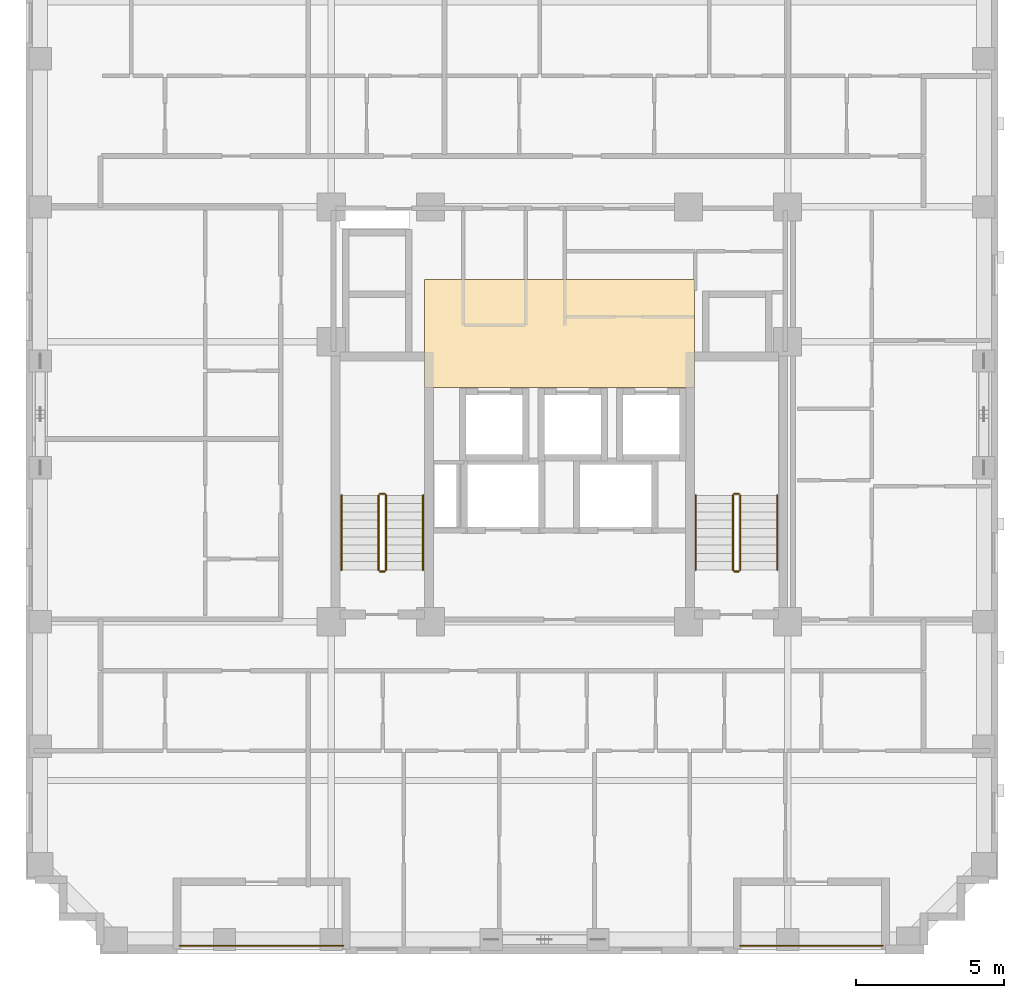
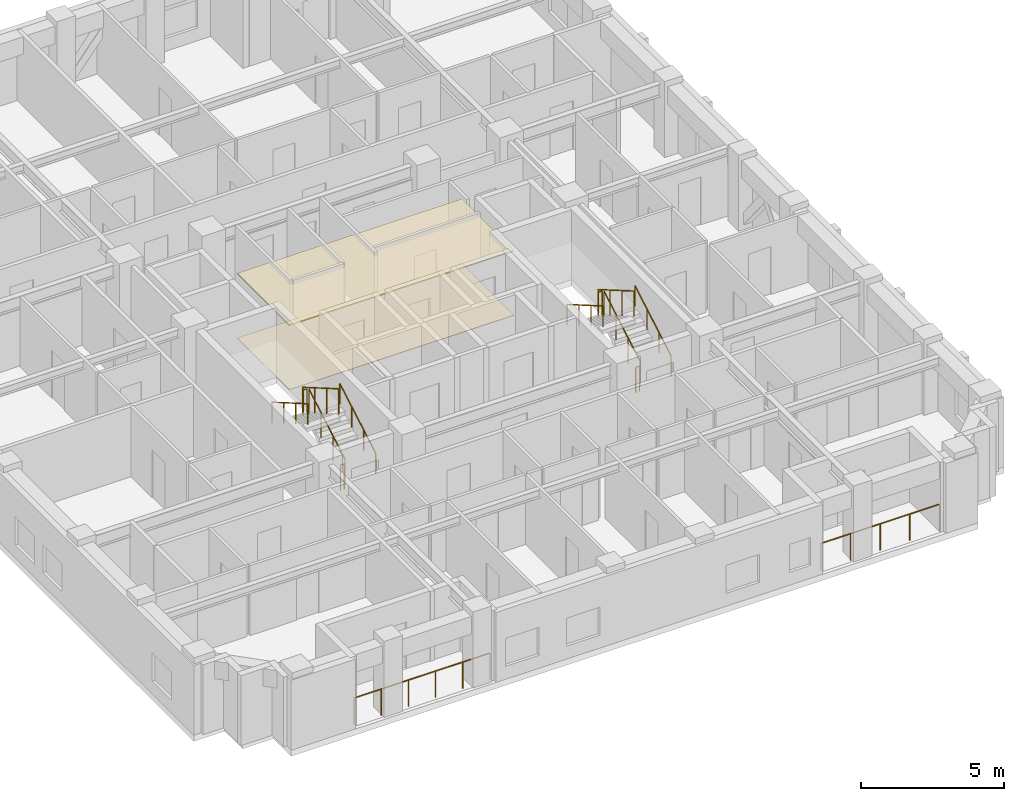
# One storey, part 10 of 11: 14 railings, 2 coverings.
"""IFC4 building model written with IfcOpenShell, lengths in metres."""

from ifc_helpers import new_model, si_unit, derived_unit, direction, frame, origin, origin_2d, place, context, subcontext, project, spatial, polyline, circle, outline, extrude, material, layer, layer_set, type_object, element, save


model = new_model("IFC4")

# Units and contexts
model_context = context("Model", 3, precision=1e-05, world=origin(), true_north=direction((0.0, 1.0)))
body_context = subcontext(model_context, "Body", "Model", "MODEL_VIEW")
ifc_project = project(units=[si_unit("LENGTHUNIT", "METRE"), si_unit("AREAUNIT", "SQUARE_METRE"), si_unit("VOLUMEUNIT", "CUBIC_METRE"), si_unit("PLANEANGLEUNIT", "RADIAN"), si_unit("MASSUNIT", "GRAM", prefix="KILO"), derived_unit("THERMALTRANSMITTANCEUNIT", [(si_unit("MASSUNIT", "GRAM", prefix="KILO"), 1), (si_unit("TIMEUNIT", "SECOND"), -3), (si_unit("THERMODYNAMICTEMPERATUREUNIT", "KELVIN"), -1)])], contexts=[model_context])

# Site, building, storey
site_placement = place(None, origin())
site = spatial("IfcSite", under=ifc_project, at=site_placement, CompositionType="ELEMENT")
building_placement = place(site_placement, origin())
building = spatial("IfcBuilding", under=site, at=building_placement, Name="Korrvale Station Residences", CompositionType="ELEMENT")
storey_placement = place(building_placement, frame((0.0, 0.0, 140.64990234375)))
storey = spatial("IfcBuildingStorey", under=building, at=storey_placement, Name="L40", CompositionType="ELEMENT", Elevation=140.64990234375)

# Coverings
ifc_material_1 = material(Name="Perforated acoustic mineral-fibre suspended ceiling", Category="gypsum")
ifc_layer_1 = layer(ifc_material_1, 0.050048828125, Name="Perforated acoustic mineral-fibre suspended ceiling")
ifc_layer_set_1 = layer_set([ifc_layer_1], Name="Perforated acoustic mineral-fibre suspended ceiling")
covering_type_1 = type_object("IfcCoveringType", Name="COV-CLG-AC60", PredefinedType="CEILING", material=ifc_layer_set_1)
covering_1_placement = place(storey_placement, frame((0.0, 0.0, 2.739990234375)))
element("IfcCovering", 1, at=covering_1_placement, inside=storey, type_object=covering_type_1, Name="L40 Elevator Lobby Acoustic Ceiling", PredefinedType="CEILING", context=body_context, shape_type="SweptSolid", body=[
    extrude(outline(polyline([(20.949951171875, 22.89990234375), (30.050048828125, 22.89990234375), (30.050048828125, 26.550048828125), (20.949951171875, 26.550048828125), (20.949951171875, 22.89990234375)])), origin(), (0.0, 0.0, 1.0), 0.050048828125),
])
ifc_material_2 = material(Name="Polished quartz-terrazzo lobby flooring", Category="masonry")
ifc_layer_2 = layer(ifc_material_2, 0.02001953125, Name="Polished quartz-terrazzo lobby flooring")
ifc_layer_set_2 = layer_set([ifc_layer_2], Name="Polished quartz-terrazzo lobby flooring")
covering_type_2 = type_object("IfcCoveringType", Name="COV-FLR-TER20", PredefinedType="FLOORING", material=ifc_layer_set_2)
covering_2_placement = place(storey_placement, origin())
element("IfcCovering", 2, at=covering_2_placement, inside=storey, type_object=covering_type_2, Name="L40 Elevator Lobby Terrazzo Flooring", PredefinedType="FLOORING", context=body_context, shape_type="SweptSolid", body=[
    extrude(outline(polyline([(20.949951171875, 22.89990234375), (30.050048828125, 22.89990234375), (30.050048828125, 26.550048828125), (20.949951171875, 26.550048828125), (20.949951171875, 22.89990234375)])), origin(), (0.0, 0.0, 1.0), 0.02001953125),
])

# Railings
ifc_material_3 = material(Name="Powder-coated aluminium picket loggia guard", Category="aluminium")
railing_type_1 = type_object("IfcRailingType", Name="RLG-BAL-1150", PredefinedType="GUARDRAIL", material=ifc_material_3)
railing_1_placement = place(storey_placement, frame((31.60009765625, 4.070068359375, 0.0)))
element("IfcRailing", 3, at=railing_1_placement, inside=storey, type_object=railing_type_1, Name="L40 Recessed Loggia Guardrail BAL-L40-S2", PredefinedType="GUARDRAIL", context=body_context, shape_type="SweptSolid", body=[
    extrude(circle(Radius=0.02392578125, at=origin_2d()), frame((0.0, 0.0, 1.1259765625), z_axis=(1.0, 0.0, 0.0), x_axis=(0.0, 1.0, 0.0)), (0.0, 0.0, 1.0), 4.7998046875),
    extrude(circle(Radius=0.02099609375, at=origin_2d()), origin(), (0.0, 0.0, 1.0), 1.101806640625),
    extrude(circle(Radius=0.02099609375, at=origin_2d()), frame((1.199951171875, 0.0, 0.0)), (0.0, 0.0, 1.0), 1.101806640625),
    extrude(circle(Radius=0.02099609375, at=origin_2d()), frame((2.39990234375, 0.0, 0.0)), (0.0, 0.0, 1.0), 1.101806640625),
    extrude(circle(Radius=0.02099609375, at=origin_2d()), frame((3.599853515625, 0.0, 0.0)), (0.0, 0.0, 1.0), 1.101806640625),
    extrude(circle(Radius=0.02099609375, at=origin_2d()), frame((4.7998046875, 0.0, 0.0)), (0.0, 0.0, 1.0), 1.101806640625),
])
railing_2_placement = place(storey_placement, frame((12.699951171875, 4.070068359375, 0.0)))
element("IfcRailing", 4, at=railing_2_placement, inside=storey, type_object=railing_type_1, Name="L40 Recessed Loggia Guardrail BAL-L40-S1", PredefinedType="GUARDRAIL", context=body_context, shape_type="SweptSolid", body=[
    extrude(circle(Radius=0.02392578125, at=origin_2d()), frame((0.0, 0.0, 1.1259765625), z_axis=(1.0, 0.0, 0.0), x_axis=(0.0, 1.0, 0.0)), (0.0, 0.0, 1.0), 5.5),
    extrude(circle(Radius=0.02099609375, at=origin_2d()), origin(), (0.0, 0.0, 1.0), 1.101806640625),
    extrude(circle(Radius=0.02099609375, at=origin_2d()), frame((1.10009765625, 0.0, 0.0)), (0.0, 0.0, 1.0), 1.101806640625),
    extrude(circle(Radius=0.02099609375, at=origin_2d()), frame((2.199951171875, 0.0, 0.0)), (0.0, 0.0, 1.0), 1.101806640625),
    extrude(circle(Radius=0.02099609375, at=origin_2d()), frame((3.300048828125, 0.0, 0.0)), (0.0, 0.0, 1.0), 1.101806640625),
    extrude(circle(Radius=0.02099609375, at=origin_2d()), frame((4.39990234375, 0.0, 0.0)), (0.0, 0.0, 1.0), 1.101806640625),
    extrude(circle(Radius=0.02099609375, at=origin_2d()), frame((5.5, 0.0, 0.0)), (0.0, 0.0, 1.0), 1.101806640625),
])
ifc_material_4 = material(Name="Brushed stainless-steel continuous stair handrail", Category="steel")
railing_type_2 = type_object("IfcRailingType", Name="RLG-SHND-900", PredefinedType="HANDRAIL", material=ifc_material_4)
railing_3_placement = place(storey_placement, frame((20.89990234375, 16.75, 0.16259765625)))
element("IfcRailing", 5, at=railing_3_placement, inside=storey, type_object=railing_type_2, Name="L40 ST-1 stair handrail 1", PredefinedType="HANDRAIL", context=body_context, shape_type="SweptSolid", body=[
    extrude(circle(Radius=0.02392578125, at=origin_2d()), frame((0.0, 0.0, 0.8759765625), z_axis=(0.0, 0.864913338283, 0.50192122615), x_axis=(-1.0, 0.0, 0.0)), (0.0, 0.0, 1.0), 2.91357421875),
    extrude(circle(Radius=0.02099609375, at=origin_2d()), origin(), (0.0, 0.0, 1.0), 0.851806640625),
    extrude(circle(Radius=0.02099609375, at=origin_2d()), frame((0.0, 0.840087890625, 0.487548828125)), (0.0, 0.0, 1.0), 0.851806640625),
    extrude(circle(Radius=0.02099609375, at=origin_2d()), frame((0.0, 1.679931640625, 0.974853515625)), (0.0, 0.0, 1.0), 0.851806640625),
    extrude(circle(Radius=0.02099609375, at=origin_2d()), frame((0.0, 2.52001953125, 1.46240234375)), (0.0, 0.0, 1.0), 0.851806640625),
])
railing_4_placement = place(storey_placement, frame((18.14990234375, 19.27001953125, 1.78759765625)))
element("IfcRailing", 6, at=railing_4_placement, inside=storey, type_object=railing_type_2, Name="L40 ST-1 stair handrail 2", PredefinedType="HANDRAIL", context=body_context, shape_type="SweptSolid", body=[
    extrude(circle(Radius=0.02392578125, at=origin_2d()), frame((0.0, 0.0, 0.8759765625), z_axis=(0.0, -0.864913338283, 0.50192122615), x_axis=(1.0, 0.0, 0.0)), (0.0, 0.0, 1.0), 2.91357421875),
    extrude(circle(Radius=0.02099609375, at=origin_2d()), origin(), (0.0, 0.0, 1.0), 0.851806640625),
    extrude(circle(Radius=0.02099609375, at=origin_2d()), frame((0.0, -0.840087890625, 0.487548828125)), (0.0, 0.0, 1.0), 0.851806640625),
    extrude(circle(Radius=0.02099609375, at=origin_2d()), frame((0.0, -1.679931640625, 0.974853515625)), (0.0, 0.0, 1.0), 0.851806640625),
    extrude(circle(Radius=0.02099609375, at=origin_2d()), frame((0.0, -2.52001953125, 1.46240234375)), (0.0, 0.0, 1.0), 0.851806640625),
])
railing_5_placement = place(storey_placement, frame((32.85009765625, 16.75, 0.16259765625)))
element("IfcRailing", 7, at=railing_5_placement, inside=storey, type_object=railing_type_2, Name="L40 ST-2 stair handrail 1", PredefinedType="HANDRAIL", context=body_context, shape_type="SweptSolid", body=[
    extrude(circle(Radius=0.02392578125, at=origin_2d()), frame((0.0, 0.0, 0.8759765625), z_axis=(0.0, 0.864913338283, 0.50192122615), x_axis=(-1.0, 0.0, 0.0)), (0.0, 0.0, 1.0), 2.91357421875),
    extrude(circle(Radius=0.02099609375, at=origin_2d()), origin(), (0.0, 0.0, 1.0), 0.851806640625),
    extrude(circle(Radius=0.02099609375, at=origin_2d()), frame((0.0, 0.840087890625, 0.487548828125)), (0.0, 0.0, 1.0), 0.851806640625),
    extrude(circle(Radius=0.02099609375, at=origin_2d()), frame((0.0, 1.679931640625, 0.974853515625)), (0.0, 0.0, 1.0), 0.851806640625),
    extrude(circle(Radius=0.02099609375, at=origin_2d()), frame((0.0, 2.52001953125, 1.46240234375)), (0.0, 0.0, 1.0), 0.851806640625),
])
railing_6_placement = place(storey_placement, frame((30.10009765625, 19.27001953125, 1.78759765625)))
element("IfcRailing", 8, at=railing_6_placement, inside=storey, type_object=railing_type_2, Name="L40 ST-2 stair handrail 2", PredefinedType="HANDRAIL", context=body_context, shape_type="SweptSolid", body=[
    extrude(circle(Radius=0.02392578125, at=origin_2d()), frame((0.0, 0.0, 0.8759765625), z_axis=(0.0, -0.864913338283, 0.50192122615), x_axis=(1.0, 0.0, 0.0)), (0.0, 0.0, 1.0), 2.91357421875),
    extrude(circle(Radius=0.02099609375, at=origin_2d()), origin(), (0.0, 0.0, 1.0), 0.851806640625),
    extrude(circle(Radius=0.02099609375, at=origin_2d()), frame((0.0, -0.840087890625, 0.487548828125)), (0.0, 0.0, 1.0), 0.851806640625),
    extrude(circle(Radius=0.02099609375, at=origin_2d()), frame((0.0, -1.679931640625, 0.974853515625)), (0.0, 0.0, 1.0), 0.851806640625),
    extrude(circle(Radius=0.02099609375, at=origin_2d()), frame((0.0, -2.52001953125, 1.46240234375)), (0.0, 0.0, 1.0), 0.851806640625),
])
ifc_material_5 = material(Name="Galvanised painted tubular steel stair guard", Category="steel")
railing_type_3 = type_object("IfcRailingType", Name="RLG-STR-1100", PredefinedType="GUARDRAIL", material=ifc_material_5)
railing_7_placement = place(storey_placement, frame((19.64990234375, 16.75, 0.16259765625)))
element("IfcRailing", 9, at=railing_7_placement, inside=storey, type_object=railing_type_3, Name="L40 ST-1 stair guard 1", PredefinedType="GUARDRAIL", context=body_context, shape_type="SweptSolid", body=[
    extrude(circle(Radius=0.02392578125, at=origin_2d()), frame((0.0, 0.0, 1.076171875), z_axis=(0.0, 0.864913338283, 0.50192122615), x_axis=(-1.0, 0.0, 0.0)), (0.0, 0.0, 1.0), 2.91357421875),
    extrude(circle(Radius=0.02099609375, at=origin_2d()), origin(), (0.0, 0.0, 1.0), 1.052001953125),
    extrude(circle(Radius=0.02099609375, at=origin_2d()), frame((0.0, 0.840087890625, 0.487548828125)), (0.0, 0.0, 1.0), 1.052001953125),
    extrude(circle(Radius=0.02099609375, at=origin_2d()), frame((0.0, 1.679931640625, 0.974853515625)), (0.0, 0.0, 1.0), 1.052001953125),
    extrude(circle(Radius=0.02099609375, at=origin_2d()), frame((0.0, 2.52001953125, 1.46240234375)), (0.0, 0.0, 1.0), 1.052001953125),
])
railing_8_placement = place(storey_placement, frame((19.60009765625, 19.320068359375, 1.625)))
element("IfcRailing", 10, at=railing_8_placement, inside=storey, type_object=railing_type_3, Name="L40 ST-1 stair guard 2", PredefinedType="GUARDRAIL", context=body_context, shape_type="SweptSolid", body=[
    extrude(circle(Radius=0.02392578125, at=origin_2d()), frame((0.0, 0.0, 1.076171875), z_axis=(-1.0, 0.0, 0.0), x_axis=(0.0, -1.0, 0.0)), (0.0, 0.0, 1.0), 0.150146484375),
    extrude(circle(Radius=0.02099609375, at=origin_2d()), origin(), (0.0, 0.0, 1.0), 1.052001953125),
    extrude(circle(Radius=0.02099609375, at=origin_2d()), frame((-0.150146484375, 0.0, 0.0)), (0.0, 0.0, 1.0), 1.052001953125),
])
railing_9_placement = place(storey_placement, frame((19.39990234375, 19.27001953125, 1.78759765625)))
element("IfcRailing", 11, at=railing_9_placement, inside=storey, type_object=railing_type_3, Name="L40 ST-1 stair guard 3", PredefinedType="GUARDRAIL", context=body_context, shape_type="SweptSolid", body=[
    extrude(circle(Radius=0.02392578125, at=origin_2d()), frame((0.0, 0.0, 1.076171875), z_axis=(0.0, -0.864913338283, 0.50192122615), x_axis=(1.0, 0.0, 0.0)), (0.0, 0.0, 1.0), 2.91357421875),
    extrude(circle(Radius=0.02099609375, at=origin_2d()), origin(), (0.0, 0.0, 1.0), 1.052001953125),
    extrude(circle(Radius=0.02099609375, at=origin_2d()), frame((0.0, -0.840087890625, 0.487548828125)), (0.0, 0.0, 1.0), 1.052001953125),
    extrude(circle(Radius=0.02099609375, at=origin_2d()), frame((0.0, -1.679931640625, 0.974853515625)), (0.0, 0.0, 1.0), 1.052001953125),
    extrude(circle(Radius=0.02099609375, at=origin_2d()), frame((0.0, -2.52001953125, 1.46240234375)), (0.0, 0.0, 1.0), 1.052001953125),
])
railing_10_placement = place(storey_placement, frame((19.60009765625, 16.699951171875, 0.0)))
element("IfcRailing", 12, at=railing_10_placement, inside=storey, type_object=railing_type_3, Name="L40 ST-1 stair guard 4", PredefinedType="GUARDRAIL", context=body_context, shape_type="SweptSolid", body=[
    extrude(circle(Radius=0.02392578125, at=origin_2d()), frame((0.0, 0.0, 1.076171875), z_axis=(-1.0, 0.0, 0.0), x_axis=(0.0, -1.0, 0.0)), (0.0, 0.0, 1.0), 0.150146484375),
    extrude(circle(Radius=0.02099609375, at=origin_2d()), origin(), (0.0, 0.0, 1.0), 1.052001953125),
    extrude(circle(Radius=0.02099609375, at=origin_2d()), frame((-0.150146484375, 0.0, 0.0)), (0.0, 0.0, 1.0), 1.052001953125),
])
railing_11_placement = place(storey_placement, frame((31.60009765625, 16.75, 0.16259765625)))
element("IfcRailing", 13, at=railing_11_placement, inside=storey, type_object=railing_type_3, Name="L40 ST-2 stair guard 1", PredefinedType="GUARDRAIL", context=body_context, shape_type="SweptSolid", body=[
    extrude(circle(Radius=0.02392578125, at=origin_2d()), frame((0.0, 0.0, 1.076171875), z_axis=(0.0, 0.864913338283, 0.50192122615), x_axis=(-1.0, 0.0, 0.0)), (0.0, 0.0, 1.0), 2.91357421875),
    extrude(circle(Radius=0.02099609375, at=origin_2d()), origin(), (0.0, 0.0, 1.0), 1.052001953125),
    extrude(circle(Radius=0.02099609375, at=origin_2d()), frame((0.0, 0.840087890625, 0.487548828125)), (0.0, 0.0, 1.0), 1.052001953125),
    extrude(circle(Radius=0.02099609375, at=origin_2d()), frame((0.0, 1.679931640625, 0.974853515625)), (0.0, 0.0, 1.0), 1.052001953125),
    extrude(circle(Radius=0.02099609375, at=origin_2d()), frame((0.0, 2.52001953125, 1.46240234375)), (0.0, 0.0, 1.0), 1.052001953125),
])
railing_12_placement = place(storey_placement, frame((31.550048828125, 19.320068359375, 1.625)))
element("IfcRailing", 14, at=railing_12_placement, inside=storey, type_object=railing_type_3, Name="L40 ST-2 stair guard 2", PredefinedType="GUARDRAIL", context=body_context, shape_type="SweptSolid", body=[
    extrude(circle(Radius=0.02392578125, at=origin_2d()), frame((0.0, 0.0, 1.076171875), z_axis=(-1.0, 0.0, 0.0), x_axis=(0.0, -1.0, 0.0)), (0.0, 0.0, 1.0), 0.150146484375),
    extrude(circle(Radius=0.02099609375, at=origin_2d()), origin(), (0.0, 0.0, 1.0), 1.052001953125),
    extrude(circle(Radius=0.02099609375, at=origin_2d()), frame((-0.150146484375, 0.0, 0.0)), (0.0, 0.0, 1.0), 1.052001953125),
])
railing_13_placement = place(storey_placement, frame((31.35009765625, 19.27001953125, 1.78759765625)))
element("IfcRailing", 15, at=railing_13_placement, inside=storey, type_object=railing_type_3, Name="L40 ST-2 stair guard 3", PredefinedType="GUARDRAIL", context=body_context, shape_type="SweptSolid", body=[
    extrude(circle(Radius=0.02392578125, at=origin_2d()), frame((0.0, 0.0, 1.076171875), z_axis=(0.0, -0.864913338283, 0.50192122615), x_axis=(1.0, 0.0, 0.0)), (0.0, 0.0, 1.0), 2.91357421875),
    extrude(circle(Radius=0.02099609375, at=origin_2d()), origin(), (0.0, 0.0, 1.0), 1.052001953125),
    extrude(circle(Radius=0.02099609375, at=origin_2d()), frame((0.0, -0.840087890625, 0.487548828125)), (0.0, 0.0, 1.0), 1.052001953125),
    extrude(circle(Radius=0.02099609375, at=origin_2d()), frame((0.0, -1.679931640625, 0.974853515625)), (0.0, 0.0, 1.0), 1.052001953125),
    extrude(circle(Radius=0.02099609375, at=origin_2d()), frame((0.0, -2.52001953125, 1.46240234375)), (0.0, 0.0, 1.0), 1.052001953125),
])
railing_14_placement = place(storey_placement, frame((31.550048828125, 16.699951171875, 0.0)))
element("IfcRailing", 16, at=railing_14_placement, inside=storey, type_object=railing_type_3, Name="L40 ST-2 stair guard 4", PredefinedType="GUARDRAIL", context=body_context, shape_type="SweptSolid", body=[
    extrude(circle(Radius=0.02392578125, at=origin_2d()), frame((0.0, 0.0, 1.076171875), z_axis=(-1.0, 0.0, 0.0), x_axis=(0.0, -1.0, 0.0)), (0.0, 0.0, 1.0), 0.150146484375),
    extrude(circle(Radius=0.02099609375, at=origin_2d()), origin(), (0.0, 0.0, 1.0), 1.052001953125),
    extrude(circle(Radius=0.02099609375, at=origin_2d()), frame((-0.150146484375, 0.0, 0.0)), (0.0, 0.0, 1.0), 1.052001953125),
])

save(model, "model.ifc")
